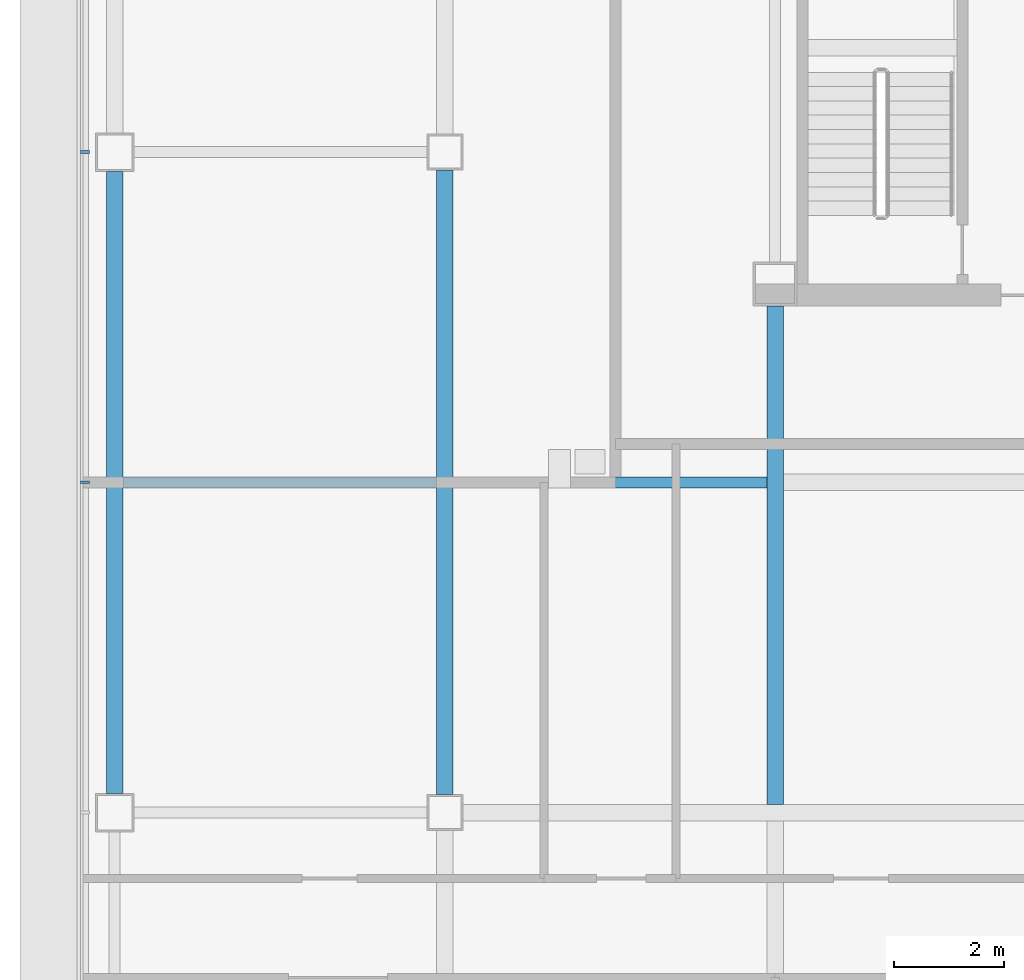
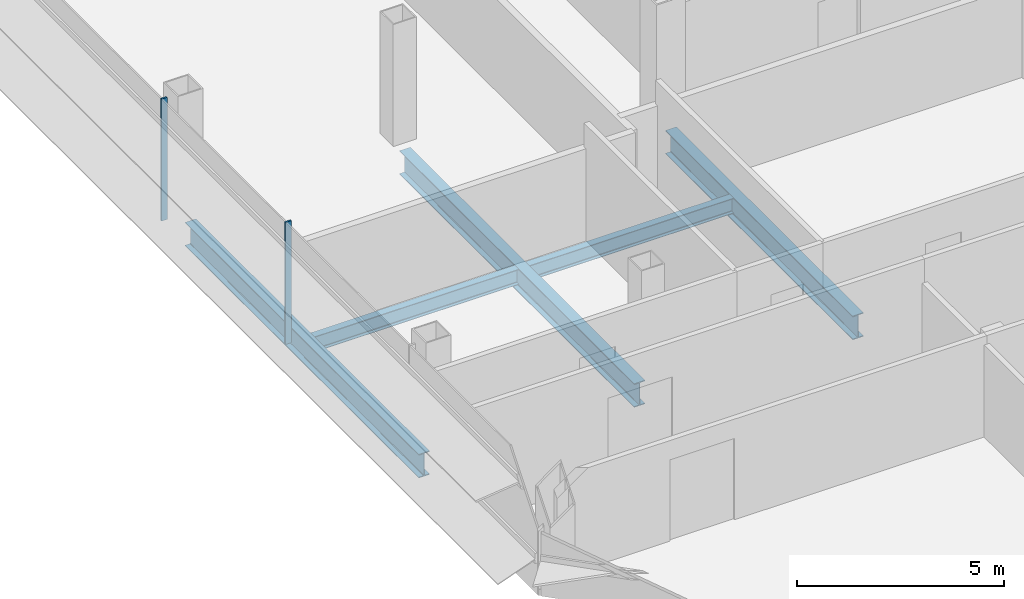
# One storey, part 4 of 26: 5 beams, 2 members, 1 element without a shape of its own.
"""IFC4 building model written with IfcOpenShell, lengths in metres."""

from ifc_helpers import new_model, si_unit, direction, frame, origin, origin_2d, place, context, subcontext, project, spatial, rectangle, i_section, extrude, material, material_profile, profile_set, type_object, element, aggregate, save


model = new_model("IFC4")

# Units and contexts
model_context = context("Model", 3, precision=1e-05, world=origin(), true_north=direction((0.0, 1.0)))
body_context = subcontext(model_context, "Body", "Model", "MODEL_VIEW")
ifc_project = project(units=[si_unit("LENGTHUNIT", "METRE"), si_unit("AREAUNIT", "SQUARE_METRE"), si_unit("VOLUMEUNIT", "CUBIC_METRE"), si_unit("PLANEANGLEUNIT", "RADIAN"), si_unit("MASSUNIT", "GRAM", prefix="KILO")], contexts=[model_context])

# Site, building, storey
site_placement = place(None, origin())
site = spatial("IfcSite", under=ifc_project, at=site_placement, CompositionType="ELEMENT")
building_placement = place(site_placement, origin())
building = spatial("IfcBuilding", under=site, at=building_placement, Name="Sorahane Residences", CompositionType="ELEMENT")
storey_placement = place(building_placement, frame((0.0, 0.0, 154.60009765625)))
storey = spatial("IfcBuildingStorey", under=building, at=storey_placement, Name="L35", CompositionType="ELEMENT", Elevation=154.60009765625)

# Curtain wall, members
ifc_material_1 = material(Name="Dark low-e glass and black anodised aluminium", Category="aluminium")
curtain_wall_type = type_object("IfcCurtainWallType", Name="Curtain wall CW-1 Typical unitised wall", PredefinedType="NOTDEFINED", material=ifc_material_1)
curtain_wall_placement = place(storey_placement, origin())
curtain_wall = element("IfcCurtainWall", 1, at=curtain_wall_placement, inside=storey, type_object=curtain_wall_type, Name="CW-1 curtain wall L35 W1", PredefinedType="NOTDEFINED")
ifc_material_2 = material(Name="Black anodised aluminium", Category="aluminium")
ifc_material_profile_1 = material_profile(ifc_material_2, rectangle(XDim=0.159912109375, YDim=0.050048828125, at=origin_2d()), Name="Curtain wall mullion CW-1 black anodised aluminium 50x160")
ifc_profile_set_1 = profile_set([ifc_material_profile_1], Name="Black anodised aluminium")
member_type = type_object("IfcMemberType", Name="Curtain wall mullion CW-1 black anodised aluminium 50x160", PredefinedType="MULLION", material=ifc_profile_set_1)
member_1_placement = place(storey_placement, frame((-6.5400390625, 24.0, -0.18017578125), z_axis=(0.0, 0.0, 1.0), x_axis=(-1.0, 0.0, 0.0)))
member_1 = element("IfcMember", 2, at=member_1_placement, type_object=member_type, Name="CW-1 mullion L35 W1.4", PredefinedType="MULLION", context=body_context, shape_type="SweptSolid", body=[
    extrude(rectangle(XDim=0.159912109375, YDim=0.050048828125, at=origin_2d()), origin(), (0.0, 0.0, 1.0), 3.60009765625),
])
member_2_placement = place(storey_placement, frame((-6.5400390625, 18.0, -0.18017578125), z_axis=(0.0, 0.0, 1.0), x_axis=(-1.0, 0.0, 0.0)))
member_2 = element("IfcMember", 3, at=member_2_placement, type_object=member_type, Name="CW-1 mullion L35 W1.5", PredefinedType="MULLION", context=body_context, shape_type="SweptSolid", body=[
    extrude(rectangle(XDim=0.159912109375, YDim=0.050048828125, at=origin_2d()), origin(), (0.0, 0.0, 1.0), 3.60009765625),
])
aggregate(curtain_wall, [member_1, member_2])

# Beams
ifc_material_3 = material(Name="Steel Q355B", Category="steel")
ifc_material_profile_2 = material_profile(ifc_material_3, i_section(OverallWidth=0.199951171875, OverallDepth=0.449951171875, WebThickness=0.009033203125, FlangeThickness=0.013916015625, FilletRadius=0.02001953125, at=origin_2d()), Name="HN 450x200x9x14")
ifc_profile_set_2 = profile_set([ifc_material_profile_2], Name="Steel Q355B")
beam_type_1 = type_object("IfcBeamType", Name="Steel floor beam HN 450x200x9x14 Q355B", PredefinedType="BEAM", material=ifc_profile_set_2)
for number, where, z_axis, x_axis, name in (
    (4, (-5.85009765625, 18.0, -0.405029296875), (1.0, 0.0, 0.0), (0.0, 1.0, 0.0), "Beam L35 078"),
    (5, (0.14990234375, 18.0, -0.405029296875), (1.0, 0.0, 0.0), (0.0, 1.0, 0.0), "Beam L35 079"),
):
    element("IfcBeam", number, at=place(storey_placement, frame(where, z_axis=z_axis, x_axis=x_axis)), inside=storey, type_object=beam_type_1, Name=name, PredefinedType="BEAM", context=body_context, shape_type="SweptSolid", body=[
        extrude(i_section(OverallWidth=0.199951171875, OverallDepth=0.449951171875, WebThickness=0.009033203125, FlangeThickness=0.013916015625, FilletRadius=0.02001953125, at=origin_2d()), origin(), (0.0, 0.0, 1.0), 5.7001953125),
    ])
ifc_material_4 = material(Name="Steel Q355B", Category="steel")
ifc_material_profile_3 = material_profile(ifc_material_4, i_section(OverallWidth=0.300048828125, OverallDepth=0.699951171875, WebThickness=0.012939453125, FlangeThickness=0.02392578125, FilletRadius=0.028076171875, at=origin_2d()), Name="HN 700x300x13x24")
ifc_profile_set_3 = profile_set([ifc_material_profile_3], Name="Steel Q355B")
beam_type_2 = type_object("IfcBeamType", Name="Steel floor beam HN 700x300x13x24 Q355B", PredefinedType="BEAM", material=ifc_profile_set_3)
beam_1_placement = place(storey_placement, frame((-6.0, 12.35009765625, -0.530029296875), z_axis=(0.0, 1.0, 0.0), x_axis=(-1.0, 0.0, 0.0)))
element("IfcBeam", 6, at=beam_1_placement, inside=storey, type_object=beam_type_2, Name="Beam L35 021", PredefinedType="BEAM", context=body_context, shape_type="SweptSolid", body=[
    extrude(i_section(OverallWidth=0.300048828125, OverallDepth=0.699951171875, WebThickness=0.012939453125, FlangeThickness=0.02392578125, FilletRadius=0.028076171875, at=origin_2d()), origin(), (0.0, 0.0, 1.0), 11.2998046875),
])
beam_2_placement = place(storey_placement, frame((0.0, 12.324951171875, -0.530029296875), z_axis=(0.0, 1.0, 0.0), x_axis=(-1.0, 0.0, 0.0)))
element("IfcBeam", 7, at=beam_2_placement, inside=storey, type_object=beam_type_2, Name="Beam L35 025", PredefinedType="BEAM", context=body_context, shape_type="SweptSolid", body=[
    extrude(i_section(OverallWidth=0.300048828125, OverallDepth=0.699951171875, WebThickness=0.012939453125, FlangeThickness=0.02392578125, FilletRadius=0.028076171875, at=origin_2d()), origin(), (0.0, 0.0, 1.0), 11.35009765625),
])
beam_3_placement = place(storey_placement, frame((6.0, 12.14990234375, -0.530029296875), z_axis=(0.0, 1.0, 0.0), x_axis=(-1.0, 0.0, 0.0)))
element("IfcBeam", 8, at=beam_3_placement, inside=storey, type_object=beam_type_2, Name="Beam L35 029", PredefinedType="BEAM", context=body_context, shape_type="SweptSolid", body=[
    extrude(i_section(OverallWidth=0.300048828125, OverallDepth=0.699951171875, WebThickness=0.012939453125, FlangeThickness=0.02392578125, FilletRadius=0.028076171875, at=origin_2d()), origin(), (0.0, 0.0, 1.0), 9.050048828125),
])

save(model, "model.ifc")
